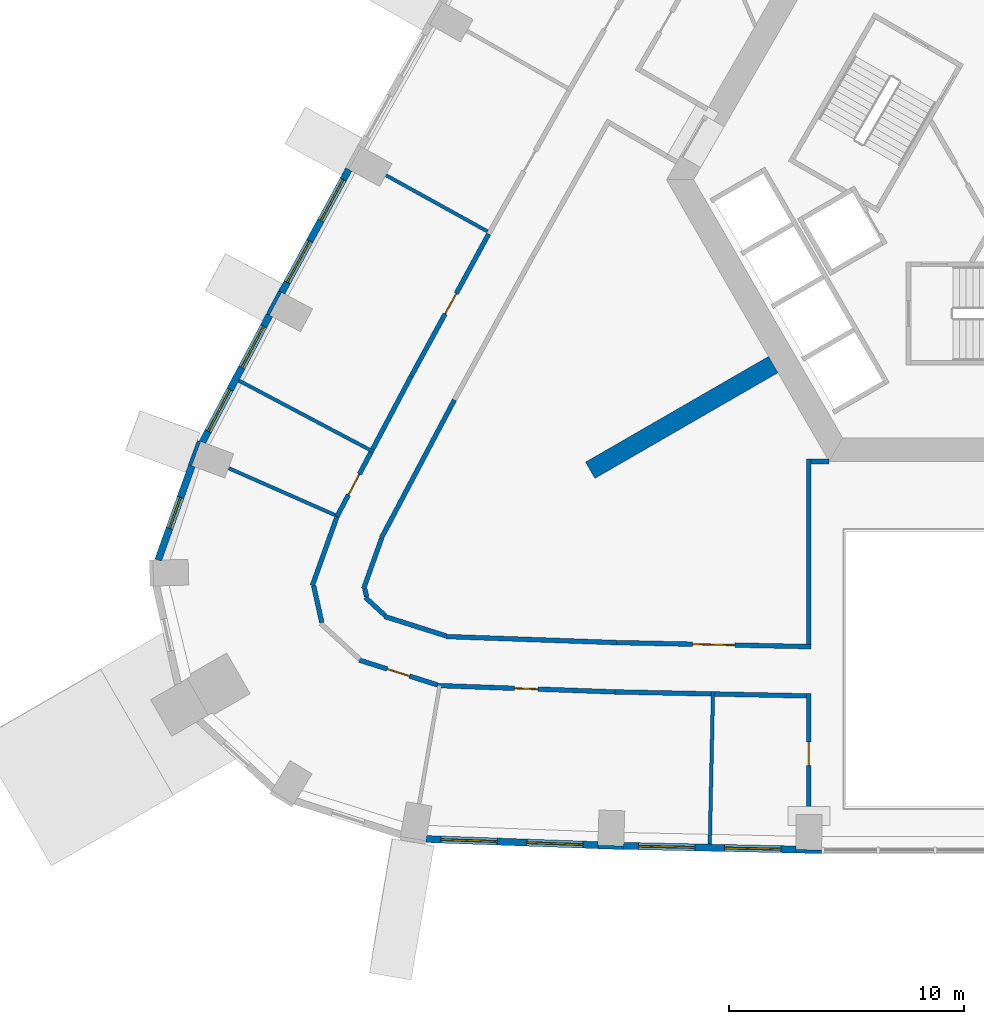
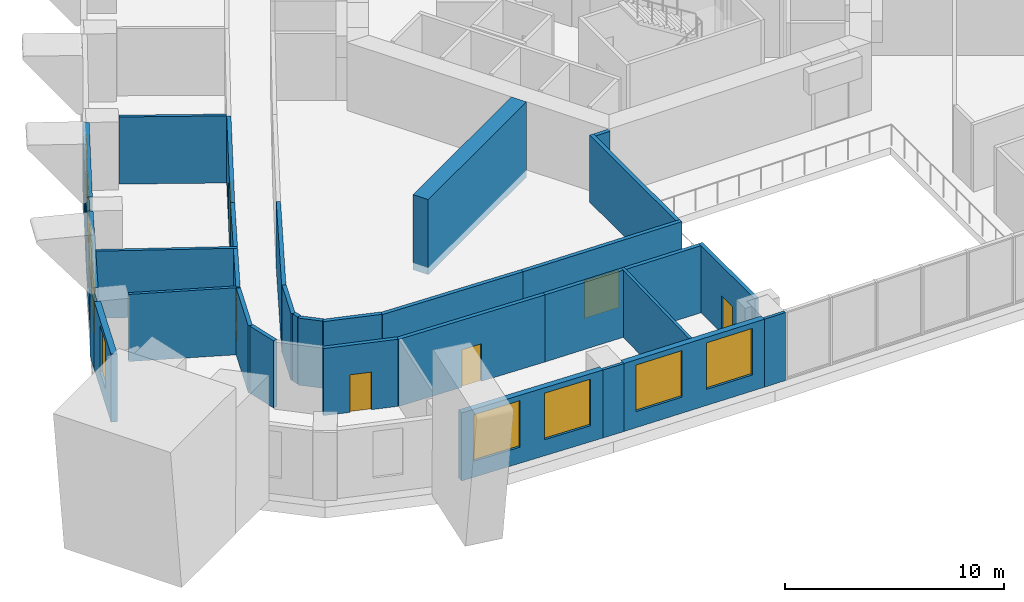
# One storey, part 4 of 14: 33 walls, 9 windows, 6 doors, 15 openings.
"""IFC4 building model written with IfcOpenShell, lengths in metres."""

from ifc_helpers import new_model, si_unit, direction, frame, frame_2d, origin, place, context, subcontext, project, spatial, rectangle, extrude, material, layer, layer_set, type_object, element, fill, save


model = new_model("IFC4")

# Units and contexts
model_context = context("Model", 3, precision=1e-05, world=origin(), true_north=direction((0.0, 1.0)))
body_context = subcontext(model_context, "Body", "Model", "MODEL_VIEW")
ifc_project = project(units=[si_unit("LENGTHUNIT", "METRE"), si_unit("AREAUNIT", "SQUARE_METRE"), si_unit("VOLUMEUNIT", "CUBIC_METRE"), si_unit("PLANEANGLEUNIT", "RADIAN"), si_unit("MASSUNIT", "GRAM", prefix="KILO")], contexts=[model_context])

# Site, building, storey
site_placement = place(None, origin())
site = spatial("IfcSite", under=ifc_project, at=site_placement, CompositionType="ELEMENT")
building_placement = place(site_placement, origin())
building = spatial("IfcBuilding", under=site, at=building_placement, Name="Entoto Arch Interchange Tower", CompositionType="ELEMENT")
storey_placement = place(building_placement, frame((0.0, 0.0, 176.0)))
storey = spatial("IfcBuildingStorey", under=building, at=storey_placement, Name="L39", CompositionType="ELEMENT", Elevation=176.0)

# Walls
ifc_material_1 = material(Name="Concrete C50/60", Category="concrete")
ifc_layer_1 = layer(ifc_material_1, 0.800048828125)
ifc_layer_set_1 = layer_set([ifc_layer_1], Name="Concrete C50/60")
wall_type_1 = type_object("IfcWallType", Name="Buttress wall 800 C50/60", PredefinedType="SHEAR", material=ifc_layer_set_1)
wall_1_placement = place(storey_placement, frame((-9.31005859375, -5.375, -0.39990234375), z_axis=(0.0, 0.0, 1.0), x_axis=(-0.866017533419, -0.500013631625, 0.0)))
element("IfcWall", 1, at=wall_1_placement, inside=storey, type_object=wall_type_1, Name="Buttress wall SW L39", PredefinedType="SHEAR", context=body_context, shape_type="SweptSolid", body=[
    extrude(rectangle(XDim=8.999755859375, YDim=0.800048828125, at=frame_2d((4.5, 0.0))), origin(), (0.0, 0.0, 1.0), 4.199951171875),
])
ifc_material_2 = material(Name="Gypsum board partition on steel studs", Category="steel")
ifc_layer_2 = layer(ifc_material_2, 0.14990234375)
ifc_layer_set_2 = layer_set([ifc_layer_2], Name="Gypsum board partition on steel studs")
wall_type_2 = type_object("IfcWallType", Name="PARTITION 150", PredefinedType="PARTITIONING", material=ifc_layer_set_2)
wall_2_placement = place(storey_placement, frame((-21.48095703125, 0.299072265625, 0.0), z_axis=(0.0, 0.0, 1.0), x_axis=(-0.875073760972, 0.483989579286, 0.0)))
element("IfcWall", 2, at=wall_2_placement, inside=storey, type_object=wall_type_2, Name="wall:L39:p124", PredefinedType="PARTITIONING", context=body_context, shape_type="SweptSolid", body=[
    extrude(rectangle(XDim=4.929931640625, YDim=0.14990234375, at=frame_2d((2.46484375, 0.0))), origin(), (0.0, 0.0, 1.0), 3.75),
])
wall_3_placement = place(storey_placement, frame((-26.322998046875, -9.094970703125, 0.0), z_axis=(0.0, 0.0, 1.0), x_axis=(-0.883977869384, 0.467528743971, 0.0)))
element("IfcWall", 3, at=wall_3_placement, inside=storey, type_object=wall_type_2, Name="wall:L39:p125", PredefinedType="PARTITIONING", context=body_context, shape_type="SweptSolid", body=[
    extrude(rectangle(XDim=6.500244140625, YDim=0.14990234375, at=frame_2d((3.25, 0.0))), origin(), (0.0, 0.0, 1.0), 3.75),
])
wall_4_placement = place(storey_placement, frame((-27.7880859375, -11.864990234375, 0.0), z_axis=(0.0, 0.0, 1.0), x_axis=(-0.915139307711, 0.403137752489, 0.0)))
element("IfcWall", 4, at=wall_4_placement, inside=storey, type_object=wall_type_2, Name="wall:L39:p126", PredefinedType="PARTITIONING", context=body_context, shape_type="SweptSolid", body=[
    extrude(rectangle(XDim=5.14453125, YDim=0.14990234375, at=frame_2d((2.572265625, 0.0))), origin(), (0.0, 0.0, 1.0), 3.75),
])
wall_5_placement = place(storey_placement, frame((-11.875, -19.302978515625, 0.0), z_axis=(0.0, 0.0, 1.0), x_axis=(-0.020922680752, -0.999781096756, 0.0)))
element("IfcWall", 5, at=wall_5_placement, inside=storey, type_object=wall_type_2, Name="wall:L39:p128", PredefinedType="PARTITIONING", context=body_context, shape_type="SweptSolid", body=[
    extrude(rectangle(XDim=6.49951171875, YDim=0.14990234375, at=frame_2d((3.249755859375, 0.0))), origin(), (0.0, 0.0, 1.0), 3.75),
])
ifc_layer_3 = layer(ifc_material_2, 0.199951171875)
ifc_layer_set_3 = layer_set([ifc_layer_3], Name="Gypsum board partition on steel studs")
wall_type_3 = type_object("IfcWallType", Name="PARTITION 200", PredefinedType="PARTITIONING", material=ifc_layer_set_3)
wall_6_placement = place(storey_placement, frame((-22.887939453125, -6.8779296875, 0.0), z_axis=(0.0, 0.0, 1.0), x_axis=(-0.467533790284, -0.883975200411, 0.0)))
element("IfcWall", 6, at=wall_6_placement, inside=storey, type_object=wall_type_3, Name="wall:L39:p032", PredefinedType="PARTITIONING", context=body_context, shape_type="SweptSolid", body=[
    extrude(rectangle(XDim=6.65625, YDim=0.199951171875, at=frame_2d((3.328125, 0.0))), origin(), (0.0, 0.0, 1.0), 3.75),
])
wall_7_placement = place(storey_placement, frame((-25.987060546875, -12.76806640625, 0.0), z_axis=(0.0, 0.0, 1.0), x_axis=(-0.33645112914, -0.941700927949, 0.0)))
element("IfcWall", 7, at=wall_7_placement, inside=storey, type_object=wall_type_3, Name="wall:L39:p033", PredefinedType="PARTITIONING", context=body_context, shape_type="SweptSolid", body=[
    extrude(rectangle(XDim=2.29150390625, YDim=0.199951171875, at=frame_2d((1.145751953125, 0.0))), origin(), (0.0, 0.0, 1.0), 3.75),
])
wall_8_placement = place(storey_placement, frame((-26.702880859375, -14.929931640625, 0.0), z_axis=(0.0, 0.0, 1.0), x_axis=(0.216250293589, -0.976337959173, 0.0)))
element("IfcWall", 8, at=wall_8_placement, inside=storey, type_object=wall_type_3, Name="wall:L39:p034", PredefinedType="PARTITIONING", context=body_context, shape_type="SweptSolid", body=[
    extrude(rectangle(XDim=0.342041015625, YDim=0.199951171875, at=frame_2d((0.1708984375, 0.0))), origin(), (0.0, 0.0, 1.0), 3.75),
])
wall_9_placement = place(storey_placement, frame((-26.680908203125, -15.2939453125, 0.0), z_axis=(0.0, 0.0, 1.0), x_axis=(0.737118519418, -0.675763485497, 0.0)))
element("IfcWall", 9, at=wall_9_placement, inside=storey, type_object=wall_type_3, Name="wall:L39:p035", PredefinedType="PARTITIONING", context=body_context, shape_type="SweptSolid", body=[
    extrude(rectangle(XDim=1.137939453125, YDim=0.199951171875, at=frame_2d((0.56884765625, 0.0))), origin(), (0.0, 0.0, 1.0), 3.75),
])
wall_10_placement = place(storey_placement, frame((-25.864013671875, -16.10009765625, 0.0), z_axis=(0.0, 0.0, 1.0), x_axis=(0.953158072423, -0.302472625167, 0.0)))
element("IfcWall", 10, at=wall_10_placement, inside=storey, type_object=wall_type_3, Name="wall:L39:p036", PredefinedType="PARTITIONING", context=body_context, shape_type="SweptSolid", body=[
    extrude(rectangle(XDim=2.743408203125, YDim=0.199951171875, at=frame_2d((1.37158203125, 0.0))), origin(), (0.0, 0.0, 1.0), 3.75),
])
wall_11_placement = place(storey_placement, frame((-23.2529296875, -16.95703125, 0.0), z_axis=(0.0, 0.0, 1.0), x_axis=(0.999365460355, -0.035618487468, 0.0)))
element("IfcWall", 11, at=wall_11_placement, inside=storey, type_object=wall_type_3, Name="wall:L39:p037", PredefinedType="PARTITIONING", context=body_context, shape_type="SweptSolid", body=[
    extrude(rectangle(XDim=7.2724609375, YDim=0.199951171875, at=frame_2d((3.63623046875, 0.0))), origin(), (0.0, 0.0, 1.0), 3.75),
])

# Wall, opening, door
wall_12_placement = place(storey_placement, frame((-15.985107421875, -17.216064453125, 0.0), z_axis=(0.0, 0.0, 1.0), x_axis=(0.999782442794, -0.020858261713, 0.0)))
wall_12 = element("IfcWall", 12, at=wall_12_placement, inside=storey, type_object=wall_type_3, Name="wall:L39:p038", PredefinedType="PARTITIONING", context=body_context, shape_type="SweptSolid", body=[
    extrude(rectangle(XDim=8.286865234375, YDim=0.199951171875, at=frame_2d((4.1435546875, 0.0))), origin(), (0.0, 0.0, 1.0), 3.75),
])
opening_1_placement = place(wall_12_placement, frame((3.243896484375, 0.0, 0.0)))
opening_1 = element("IfcOpeningElement", 13, at=opening_1_placement, cuts=wall_12, Name="Opening L39-D27", PredefinedType="OPENING", context=body_context, shape_type="SweptSolid", body=[
    extrude(rectangle(XDim=1.800048828125, YDim=2.10009765625, at=frame_2d((0.89990234375, 1.050048828125))), frame((0.0, 0.10986328125, 0.0), z_axis=(0.0, -1.0, 0.0), x_axis=(1.0, 0.0, 0.0)), (0.0, 0.0, 1.0), 0.219970703125),
])
ifc_material_3 = material(Name="Timber door leaf in Steel S235 frame", Category="steel")
door_type_1 = type_object("IfcDoorType", Name="DOOR DD-18 1800x2100", OperationType="DOUBLE_DOOR_SINGLE_SWING", PredefinedType="DOOR", material=ifc_material_3)
door_1_placement = place(opening_1_placement, origin())
door_1 = element("IfcDoor", 14, at=door_1_placement, inside=storey, type_object=door_type_1, Name="door:L39:27", OperationType="DOUBLE_DOOR_SINGLE_SWING", OverallHeight=2.10009765625, OverallWidth=1.800048828125, PredefinedType="DOOR", context=body_context, shape_type="SweptSolid", body=[
    extrude(rectangle(XDim=1.800048828125, YDim=2.10009765625, at=frame_2d((0.89990234375, 1.050048828125))), frame((0.0, 0.02490234375, 0.0), z_axis=(0.0, -1.0, 0.0), x_axis=(1.0, 0.0, 0.0)), (0.0, 0.0, 1.0), 0.050048828125),
])
fill(opening_1, door_1)

# Wall
wall_13_placement = place(storey_placement, frame((-26.3759765625, -8.98193359375, 0.0), z_axis=(0.0, 0.0, 1.0), x_axis=(0.467529077139, 0.883977693174, 0.0)))
element("IfcWall", 15, at=wall_13_placement, inside=storey, type_object=wall_type_3, Name="wall:L39:p068", PredefinedType="PARTITIONING", context=body_context, shape_type="SweptSolid", body=[
    extrude(rectangle(XDim=3.50341796875, YDim=0.199951171875, at=frame_2d((1.751708984375, 0.0))), origin(), (0.0, 0.0, 1.0), 3.75),
])

# Wall, opening, door
wall_14_placement = place(storey_placement, frame((-24.738037109375, -5.885009765625, 0.0), z_axis=(0.0, 0.0, 1.0), x_axis=(0.478535377863, 0.878068273048, 0.0)))
wall_14 = element("IfcWall", 16, at=wall_14_placement, inside=storey, type_object=wall_type_3, Name="wall:L39:p069", PredefinedType="PARTITIONING", context=body_context, shape_type="SweptSolid", body=[
    extrude(rectangle(XDim=6.9130859375, YDim=0.199951171875, at=frame_2d((3.45654296875, 0.0))), origin(), (0.0, 0.0, 1.0), 3.75),
])
opening_2_placement = place(wall_14_placement, frame((3.031005859375, 0.0, 0.0)))
opening_2 = element("IfcOpeningElement", 17, at=opening_2_placement, cuts=wall_14, Name="Opening L39-D14", PredefinedType="OPENING", context=body_context, shape_type="SweptSolid", body=[
    extrude(rectangle(XDim=1.0, YDim=2.10009765625, at=frame_2d((0.5, 1.050048828125))), frame((0.0, 0.10986328125, 0.0), z_axis=(0.0, -1.0, 0.0), x_axis=(1.0, 0.0, 0.0)), (0.0, 0.0, 1.0), 0.219970703125),
])
door_type_2 = type_object("IfcDoorType", Name="DOOR DS-10 1000x2100", OperationType="SINGLE_SWING_LEFT", PredefinedType="DOOR", material=ifc_material_3)
door_2_placement = place(opening_2_placement, origin())
door_2 = element("IfcDoor", 18, at=door_2_placement, inside=storey, type_object=door_type_2, Name="door:L39:14", OperationType="SINGLE_SWING_RIGHT", OverallHeight=2.10009765625, OverallWidth=1.0, PredefinedType="DOOR", context=body_context, shape_type="SweptSolid", body=[
    extrude(rectangle(XDim=1.0, YDim=2.10009765625, at=frame_2d((0.5, 1.050048828125))), frame((0.0, 0.02490234375, 0.0), z_axis=(0.0, -1.0, 0.0), x_axis=(1.0, 0.0, 0.0)), (0.0, 0.0, 1.0), 0.050048828125),
])
fill(opening_2, door_2)

wall_15_placement = place(storey_placement, frame((-27.89111328125, -11.846923828125, 0.0), z_axis=(0.0, 0.0, 1.0), x_axis=(0.467571923705, 0.883955030623, 0.0)))
wall_15 = element("IfcWall", 19, at=wall_15_placement, inside=storey, type_object=wall_type_3, Name="wall:L39:p070", PredefinedType="PARTITIONING", context=body_context, shape_type="SweptSolid", body=[
    extrude(rectangle(XDim=3.090576171875, YDim=0.199951171875, at=frame_2d((1.54541015625, 0.0))), origin(), (0.0, 0.0, 1.0), 3.75),
])
opening_3_placement = place(wall_15_placement, frame((1.044921875, 0.0, 0.0)))
opening_3 = element("IfcOpeningElement", 20, at=opening_3_placement, cuts=wall_15, Name="Opening L39-D15", PredefinedType="OPENING", context=body_context, shape_type="SweptSolid", body=[
    extrude(rectangle(XDim=1.0, YDim=2.10009765625, at=frame_2d((0.5, 1.050048828125))), frame((0.0, 0.10986328125, 0.0), z_axis=(0.0, -1.0, 0.0), x_axis=(1.0, 0.0, 0.0)), (0.0, 0.0, 1.0), 0.219970703125),
])
door_3_placement = place(opening_3_placement, origin())
door_3 = element("IfcDoor", 21, at=door_3_placement, inside=storey, type_object=door_type_2, Name="door:L39:15", OperationType="SINGLE_SWING_LEFT", OverallHeight=2.10009765625, OverallWidth=1.0, PredefinedType="DOOR", context=body_context, shape_type="SweptSolid", body=[
    extrude(rectangle(XDim=1.0, YDim=2.10009765625, at=frame_2d((0.5, 1.050048828125))), frame((0.0, 0.02490234375, 0.0), z_axis=(0.0, -1.0, 0.0), x_axis=(1.0, 0.0, 0.0)), (0.0, 0.0, 1.0), 0.050048828125),
])
fill(opening_3, door_3)

wall_16_placement = place(storey_placement, frame((-23.610107421875, -19.01904296875, 0.0), z_axis=(0.0, 0.0, 1.0), x_axis=(-0.953121068097, 0.302589209243, 0.0)))
wall_16 = element("IfcWall", 22, at=wall_16_placement, inside=storey, type_object=wall_type_3, Name="wall:L39:p071", PredefinedType="PARTITIONING", context=body_context, shape_type="SweptSolid", body=[
    extrude(rectangle(XDim=3.49365234375, YDim=0.199951171875, at=frame_2d((1.746826171875, 0.0))), origin(), (0.0, 0.0, 1.0), 3.75),
])
opening_4_placement = place(wall_16_placement, frame((1.2470703125, 0.0, 0.0)))
opening_4 = element("IfcOpeningElement", 23, at=opening_4_placement, cuts=wall_16, Name="Opening L39-D16", PredefinedType="OPENING", context=body_context, shape_type="SweptSolid", body=[
    extrude(rectangle(XDim=1.0, YDim=2.10009765625, at=frame_2d((0.5, 1.050048828125))), frame((0.0, 0.10986328125, 0.0), z_axis=(0.0, -1.0, 0.0), x_axis=(1.0, 0.0, 0.0)), (0.0, 0.0, 1.0), 0.219970703125),
])
door_4_placement = place(opening_4_placement, origin())
door_4 = element("IfcDoor", 24, at=door_4_placement, inside=storey, type_object=door_type_2, Name="door:L39:16", OperationType="SINGLE_SWING_LEFT", OverallHeight=2.10009765625, OverallWidth=1.0, PredefinedType="DOOR", context=body_context, shape_type="SweptSolid", body=[
    extrude(rectangle(XDim=1.0, YDim=2.10009765625, at=frame_2d((0.5, 1.050048828125))), frame((0.0, 0.02490234375, 0.0), z_axis=(0.0, -1.0, 0.0), x_axis=(1.0, 0.0, 0.0)), (0.0, 0.0, 1.0), 0.050048828125),
])
fill(opening_4, door_4)

# Walls
wall_17_placement = place(storey_placement, frame((-28.535888671875, -16.364990234375, 0.0), z_axis=(0.0, 0.0, 1.0), x_axis=(-0.216223984898, 0.976343785946, 0.0)))
element("IfcWall", 25, at=wall_17_placement, inside=storey, type_object=wall_type_3, Name="wall:L39:p073", PredefinedType="PARTITIONING", context=body_context, shape_type="SweptSolid", body=[
    extrude(rectangle(XDim=1.610107421875, YDim=0.199951171875, at=frame_2d((0.80517578125, 0.0))), origin(), (0.0, 0.0, 1.0), 3.75),
])
wall_18_placement = place(storey_placement, frame((-28.93994140625, -14.7890625, 0.0), z_axis=(0.0, 0.0, 1.0), x_axis=(0.336864004528, 0.941553313654, 0.0)))
element("IfcWall", 26, at=wall_18_placement, inside=storey, type_object=wall_type_3, Name="wall:L39:p074", PredefinedType="PARTITIONING", context=body_context, shape_type="SweptSolid", body=[
    extrude(rectangle(XDim=3.04833984375, YDim=0.199951171875, at=frame_2d((1.524169921875, 0.0))), origin(), (0.0, 0.0, 1.0), 3.75),
])
wall_19_placement = place(storey_placement, frame((-11.951904296875, -19.40087890625, 0.0), z_axis=(0.0, 0.0, 1.0), x_axis=(-0.999784632057, 0.020753060063, 0.0)))
element("IfcWall", 27, at=wall_19_placement, inside=storey, type_object=wall_type_3, Name="wall:L39:p075", PredefinedType="PARTITIONING", context=body_context, shape_type="SweptSolid", body=[
    extrude(rectangle(XDim=4.093994140625, YDim=0.199951171875, at=frame_2d((2.046875, 0.0))), origin(), (0.0, 0.0, 1.0), 3.75),
])

# Wall, opening, door
wall_20_placement = place(storey_placement, frame((-16.044921875, -19.31591796875, 0.0), z_axis=(0.0, 0.0, 1.0), x_axis=(-0.999359853626, 0.035775451915, 0.0)))
wall_20 = element("IfcWall", 28, at=wall_20_placement, inside=storey, type_object=wall_type_3, Name="wall:L39:p076", PredefinedType="PARTITIONING", context=body_context, shape_type="SweptSolid", body=[
    extrude(rectangle(XDim=7.574951171875, YDim=0.199951171875, at=frame_2d((3.78759765625, 0.0))), origin(), (0.0, 0.0, 1.0), 3.75),
])
opening_5_placement = place(wall_20_placement, frame((3.2880859375, 0.0, 0.0)))
opening_5 = element("IfcOpeningElement", 29, at=opening_5_placement, cuts=wall_20, Name="Opening L39-D17", PredefinedType="OPENING", context=body_context, shape_type="SweptSolid", body=[
    extrude(rectangle(XDim=1.0, YDim=2.10009765625, at=frame_2d((0.5, 1.050048828125))), frame((0.0, 0.10986328125, 0.0), z_axis=(0.0, -1.0, 0.0), x_axis=(1.0, 0.0, 0.0)), (0.0, 0.0, 1.0), 0.219970703125),
])
door_5_placement = place(opening_5_placement, origin())
door_5 = element("IfcDoor", 30, at=door_5_placement, inside=storey, type_object=door_type_2, Name="door:L39:17", OperationType="SINGLE_SWING_LEFT", OverallHeight=2.10009765625, OverallWidth=1.0, PredefinedType="DOOR", context=body_context, shape_type="SweptSolid", body=[
    extrude(rectangle(XDim=1.0, YDim=2.10009765625, at=frame_2d((0.5, 1.050048828125))), frame((0.0, 0.02490234375, 0.0), z_axis=(0.0, -1.0, 0.0), x_axis=(1.0, 0.0, 0.0)), (0.0, 0.0, 1.0), 0.050048828125),
])
fill(opening_5, door_5)

# Walls
wall_21_placement = place(storey_placement, frame((-7.89990234375, -19.485107421875, 0.0), z_axis=(0.0, 0.0, 1.0), x_axis=(-0.999784330337, 0.020767590419, 0.0)))
element("IfcWall", 31, at=wall_21_placement, inside=storey, type_object=wall_type_3, Name="wall:L39:p077", PredefinedType="PARTITIONING", context=body_context, shape_type="SweptSolid", body=[
    extrude(rectangle(XDim=3.90283203125, YDim=0.199951171875, at=frame_2d((1.951416015625, 0.0))), origin(), (0.0, 0.0, 1.0), 3.75),
])
wall_22_placement = place(storey_placement, frame((-7.800048828125, -17.287109375, 0.0), z_axis=(0.0, 0.0, 1.0), x_axis=(0.0, 1.0, 0.0)))
element("IfcWall", 32, at=wall_22_placement, inside=storey, type_object=wall_type_3, Name="wall:L39:p097", PredefinedType="PARTITIONING", context=body_context, shape_type="SweptSolid", body=[
    extrude(rectangle(XDim=7.88818359375, YDim=0.199951171875, at=frame_2d((3.944091796875, 0.0))), origin(), (0.0, 0.0, 1.0), 3.75),
])
wall_23_placement = place(storey_placement, frame((-7.699951171875, -9.4990234375, 0.0), z_axis=(0.0, 0.0, 1.0), x_axis=(1.0, 0.0, 0.0)))
element("IfcWall", 33, at=wall_23_placement, inside=storey, type_object=wall_type_3, Name="wall:L39:p098", PredefinedType="PARTITIONING", context=body_context, shape_type="SweptSolid", body=[
    extrude(rectangle(XDim=0.77099609375, YDim=0.199951171875, at=frame_2d((0.385498046875, 0.0))), origin(), (0.0, 0.0, 1.0), 3.75),
])

# Wall, opening, door
wall_24_placement = place(storey_placement, frame((-7.800048828125, -24.51904296875, 0.0), z_axis=(0.0, 0.0, 1.0), x_axis=(0.0, 1.0, 0.0)))
wall_24 = element("IfcWall", 34, at=wall_24_placement, inside=storey, type_object=wall_type_3, Name="wall:L39:p100", PredefinedType="PARTITIONING", context=body_context, shape_type="SweptSolid", body=[
    extrude(rectangle(XDim=5.132080078125, YDim=0.199951171875, at=frame_2d((2.56591796875, 0.0))), origin(), (0.0, 0.0, 1.0), 3.75),
])
opening_6_placement = place(wall_24_placement, frame((2.06591796875, 0.0, 0.0)))
opening_6 = element("IfcOpeningElement", 35, at=opening_6_placement, cuts=wall_24, Name="Opening L39-D18", PredefinedType="OPENING", context=body_context, shape_type="SweptSolid", body=[
    extrude(rectangle(XDim=1.0, YDim=2.10009765625, at=frame_2d((0.5, 1.050048828125))), frame((0.0, 0.10986328125, 0.0), z_axis=(0.0, -1.0, 0.0), x_axis=(1.0, 0.0, 0.0)), (0.0, 0.0, 1.0), 0.219970703125),
])
door_6_placement = place(opening_6_placement, origin())
door_6 = element("IfcDoor", 36, at=door_6_placement, inside=storey, type_object=door_type_2, Name="door:L39:18", OperationType="SINGLE_SWING_LEFT", OverallHeight=2.10009765625, OverallWidth=1.0, PredefinedType="DOOR", context=body_context, shape_type="SweptSolid", body=[
    extrude(rectangle(XDim=1.0, YDim=2.10009765625, at=frame_2d((0.5, 1.050048828125))), frame((0.0, 0.02490234375, 0.0), z_axis=(0.0, -1.0, 0.0), x_axis=(1.0, 0.0, 0.0)), (0.0, 0.0, 1.0), 0.050048828125),
])
fill(opening_6, door_6)

# Wall, openings, windows
ifc_material_4 = material(Name="Welded tuff (ignimbrite) cladding, warm buff", Category="masonry")
ifc_layer_4 = layer(ifc_material_4, 0.300048828125)
ifc_layer_set_4 = layer_set([ifc_layer_4], Name="Welded tuff (ignimbrite) cladding, warm buff")
wall_type_4 = type_object("IfcWallType", Name="STONE INFILL WALL 300", PredefinedType="STANDARD", material=ifc_layer_set_4)
wall_25_placement = place(storey_placement, frame((-24.090087890625, -25.5830078125, 0.0), z_axis=(0.0, 0.0, 1.0), x_axis=(0.999368368263, -0.035536805082, 0.0)))
wall_25 = element("IfcWall", 37, at=wall_25_placement, inside=storey, type_object=wall_type_4, Name="Facade wall S-01 L39", PredefinedType="STANDARD", context=body_context, shape_type="SweptSolid", body=[
    extrude(rectangle(XDim=7.316650390625, YDim=0.300048828125, at=frame_2d((3.658203125, 0.0))), origin(), (0.0, 0.0, 1.0), 3.800048828125),
])
opening_7_placement = place(wall_25_placement, frame((0.62890625, 0.0, 0.89990234375)))
opening_7 = element("IfcOpeningElement", 38, at=opening_7_placement, cuts=wall_25, Name="Opening WO-A", PredefinedType="OPENING", context=body_context, shape_type="SweptSolid", body=[
    extrude(rectangle(XDim=2.39990234375, YDim=2.60009765625, at=frame_2d((1.199951171875, 1.300048828125))), frame((0.0, 0.16015625, 0.0), z_axis=(0.0, -1.0, 0.0), x_axis=(1.0, 0.0, 0.0)), (0.0, 0.0, 1.0), 0.320068359375),
])
opening_8_placement = place(wall_25_placement, frame((4.287109375, 0.0, 0.89990234375)))
opening_8 = element("IfcOpeningElement", 39, at=opening_8_placement, cuts=wall_25, Name="Opening WO-A", PredefinedType="OPENING", context=body_context, shape_type="SweptSolid", body=[
    extrude(rectangle(XDim=2.39990234375, YDim=2.60009765625, at=frame_2d((1.199951171875, 1.300048828125))), frame((0.0, 0.16015625, 0.0), z_axis=(0.0, -1.0, 0.0), x_axis=(1.0, 0.0, 0.0)), (0.0, 0.0, 1.0), 0.320068359375),
])
ifc_material_5 = material(Name="Clear glass, low-e double glazed", Category="glass")
window_type_1 = type_object("IfcWindowType", Name="WINDOW WO-A 2400x2600", PartitioningType="DOUBLE_PANEL_VERTICAL", PredefinedType="WINDOW", material=ifc_material_5)
window_1_placement = place(opening_7_placement, origin())
window_1 = element("IfcWindow", 40, at=window_1_placement, inside=storey, type_object=window_type_1, Name="Window WO-A S-01 L39", OverallHeight=2.60009765625, OverallWidth=2.39990234375, PartitioningType="SINGLE_PANEL", PredefinedType="WINDOW", context=body_context, shape_type="SweptSolid", body=[
    extrude(rectangle(XDim=2.39990234375, YDim=2.60009765625, at=frame_2d((1.199951171875, 1.300048828125))), frame((0.0, 0.030029296875, 0.0), z_axis=(0.0, -1.0, 0.0), x_axis=(1.0, 0.0, 0.0)), (0.0, 0.0, 1.0), 0.06005859375),
])
fill(opening_7, window_1)
window_2_placement = place(opening_8_placement, origin())
window_2 = element("IfcWindow", 41, at=window_2_placement, inside=storey, type_object=window_type_1, Name="Window WO-A S-01 L39", OverallHeight=2.60009765625, OverallWidth=2.39990234375, PartitioningType="SINGLE_PANEL", PredefinedType="WINDOW", context=body_context, shape_type="SweptSolid", body=[
    extrude(rectangle(XDim=2.39990234375, YDim=2.60009765625, at=frame_2d((1.199951171875, 1.300048828125))), frame((0.0, 0.030029296875, 0.0), z_axis=(0.0, -1.0, 0.0), x_axis=(1.0, 0.0, 0.0)), (0.0, 0.0, 1.0), 0.06005859375),
])
fill(opening_8, window_2)

wall_26_placement = place(storey_placement, frame((-15.679931640625, -25.875, 0.0), z_axis=(0.0, 0.0, 1.0), x_axis=(0.999782189413, -0.020870403275, 0.0)))
wall_26 = element("IfcWall", 42, at=wall_26_placement, inside=storey, type_object=wall_type_4, Name="Facade wall S-02 L39", PredefinedType="STANDARD", context=body_context, shape_type="SweptSolid", body=[
    extrude(rectangle(XDim=7.334716796875, YDim=0.300048828125, at=frame_2d((3.66748046875, 0.0))), origin(), (0.0, 0.0, 1.0), 3.800048828125),
])
opening_9_placement = place(wall_26_placement, frame((0.634033203125, 0.0, 0.89990234375)))
opening_9 = element("IfcOpeningElement", 43, at=opening_9_placement, cuts=wall_26, Name="Opening WO-A", PredefinedType="OPENING", context=body_context, shape_type="SweptSolid", body=[
    extrude(rectangle(XDim=2.39990234375, YDim=2.60009765625, at=frame_2d((1.199951171875, 1.300048828125))), frame((0.0, 0.16015625, 0.0), z_axis=(0.0, -1.0, 0.0), x_axis=(1.0, 0.0, 0.0)), (0.0, 0.0, 1.0), 0.320068359375),
])
opening_10_placement = place(wall_26_placement, frame((4.301025390625, 0.0, 0.89990234375)))
opening_10 = element("IfcOpeningElement", 44, at=opening_10_placement, cuts=wall_26, Name="Opening WO-A", PredefinedType="OPENING", context=body_context, shape_type="SweptSolid", body=[
    extrude(rectangle(XDim=2.39990234375, YDim=2.60009765625, at=frame_2d((1.199951171875, 1.300048828125))), frame((0.0, 0.16015625, 0.0), z_axis=(0.0, -1.0, 0.0), x_axis=(1.0, 0.0, 0.0)), (0.0, 0.0, 1.0), 0.320068359375),
])
window_3_placement = place(opening_9_placement, origin())
window_3 = element("IfcWindow", 45, at=window_3_placement, inside=storey, type_object=window_type_1, Name="Window WO-A S-02 L39", OverallHeight=2.60009765625, OverallWidth=2.39990234375, PartitioningType="SINGLE_PANEL", PredefinedType="WINDOW", context=body_context, shape_type="SweptSolid", body=[
    extrude(rectangle(XDim=2.39990234375, YDim=2.60009765625, at=frame_2d((1.199951171875, 1.300048828125))), frame((0.0, 0.030029296875, 0.0), z_axis=(0.0, -1.0, 0.0), x_axis=(1.0, 0.0, 0.0)), (0.0, 0.0, 1.0), 0.06005859375),
])
fill(opening_9, window_3)
window_4_placement = place(opening_10_placement, origin())
window_4 = element("IfcWindow", 46, at=window_4_placement, inside=storey, type_object=window_type_1, Name="Window WO-A S-02 L39", OverallHeight=2.60009765625, OverallWidth=2.39990234375, PartitioningType="SINGLE_PANEL", PredefinedType="WINDOW", context=body_context, shape_type="SweptSolid", body=[
    extrude(rectangle(XDim=2.39990234375, YDim=2.60009765625, at=frame_2d((1.199951171875, 1.300048828125))), frame((0.0, 0.030029296875, 0.0), z_axis=(0.0, -1.0, 0.0), x_axis=(1.0, 0.0, 0.0)), (0.0, 0.0, 1.0), 0.06005859375),
])
fill(opening_10, window_4)

wall_27_placement = place(storey_placement, frame((-27.387939453125, 2.93896484375, 0.0), z_axis=(0.0, 0.0, 1.0), x_axis=(-0.478711740571, -0.877972134774, 0.0)))
wall_27 = element("IfcWall", 47, at=wall_27_placement, inside=storey, type_object=wall_type_4, Name="Facade wall NW-06 L39", PredefinedType="STANDARD", context=body_context, shape_type="SweptSolid", body=[
    extrude(rectangle(XDim=5.970458984375, YDim=0.300048828125, at=frame_2d((2.9853515625, 0.0))), origin(), (0.0, 0.0, 1.0), 3.800048828125),
])
opening_11_placement = place(wall_27_placement, frame((0.492919921875, 0.0, 0.89990234375)))
opening_11 = element("IfcOpeningElement", 48, at=opening_11_placement, cuts=wall_27, Name="Opening WO-C", PredefinedType="OPENING", context=body_context, shape_type="SweptSolid", body=[
    extrude(rectangle(XDim=2.0, YDim=2.60009765625, at=frame_2d((1.0, 1.300048828125))), frame((0.0, 0.16015625, 0.0), z_axis=(0.0, -1.0, 0.0), x_axis=(1.0, 0.0, 0.0)), (0.0, 0.0, 1.0), 0.320068359375),
])
opening_12_placement = place(wall_27_placement, frame((3.47802734375, 0.0, 0.89990234375)))
opening_12 = element("IfcOpeningElement", 49, at=opening_12_placement, cuts=wall_27, Name="Opening WO-C", PredefinedType="OPENING", context=body_context, shape_type="SweptSolid", body=[
    extrude(rectangle(XDim=2.0, YDim=2.60009765625, at=frame_2d((1.0, 1.300048828125))), frame((0.0, 0.16015625, 0.0), z_axis=(0.0, -1.0, 0.0), x_axis=(1.0, 0.0, 0.0)), (0.0, 0.0, 1.0), 0.320068359375),
])
window_type_2 = type_object("IfcWindowType", Name="WINDOW WO-C 2000x2600", PartitioningType="DOUBLE_PANEL_VERTICAL", PredefinedType="WINDOW", material=ifc_material_5)
window_5_placement = place(opening_11_placement, origin())
window_5 = element("IfcWindow", 50, at=window_5_placement, inside=storey, type_object=window_type_2, Name="Window WO-C NW-06 L39", OverallHeight=2.60009765625, OverallWidth=2.0, PartitioningType="SINGLE_PANEL", PredefinedType="WINDOW", context=body_context, shape_type="SweptSolid", body=[
    extrude(rectangle(XDim=2.0, YDim=2.60009765625, at=frame_2d((1.0, 1.300048828125))), frame((0.0, 0.030029296875, 0.0), z_axis=(0.0, -1.0, 0.0), x_axis=(1.0, 0.0, 0.0)), (0.0, 0.0, 1.0), 0.06005859375),
])
fill(opening_11, window_5)
window_6_placement = place(opening_12_placement, origin())
window_6 = element("IfcWindow", 51, at=window_6_placement, inside=storey, type_object=window_type_2, Name="Window WO-C NW-06 L39", OverallHeight=2.60009765625, OverallWidth=2.0, PartitioningType="SINGLE_PANEL", PredefinedType="WINDOW", context=body_context, shape_type="SweptSolid", body=[
    extrude(rectangle(XDim=2.0, YDim=2.60009765625, at=frame_2d((1.0, 1.300048828125))), frame((0.0, 0.030029296875, 0.0), z_axis=(0.0, -1.0, 0.0), x_axis=(1.0, 0.0, 0.0)), (0.0, 0.0, 1.0), 0.06005859375),
])
fill(opening_12, window_6)

wall_28_placement = place(storey_placement, frame((-30.764892578125, -3.27099609375, 0.0), z_axis=(0.0, 0.0, 1.0), x_axis=(-0.467572383403, -0.883954787463, 0.0)))
wall_28 = element("IfcWall", 52, at=wall_28_placement, inside=storey, type_object=wall_type_4, Name="Facade wall NW-07 L39", PredefinedType="STANDARD", context=body_context, shape_type="SweptSolid", body=[
    extrude(rectangle(XDim=6.118896484375, YDim=0.300048828125, at=frame_2d((3.0595703125, 0.0))), origin(), (0.0, 0.0, 1.0), 3.800048828125),
])
opening_13_placement = place(wall_28_placement, frame((0.530029296875, 0.0, 0.89990234375)))
opening_13 = element("IfcOpeningElement", 53, at=opening_13_placement, cuts=wall_28, Name="Opening WO-C", PredefinedType="OPENING", context=body_context, shape_type="SweptSolid", body=[
    extrude(rectangle(XDim=2.0, YDim=2.60009765625, at=frame_2d((1.0, 1.300048828125))), frame((0.0, 0.16015625, 0.0), z_axis=(0.0, -1.0, 0.0), x_axis=(1.0, 0.0, 0.0)), (0.0, 0.0, 1.0), 0.320068359375),
])
opening_14_placement = place(wall_28_placement, frame((3.589111328125, 0.0, 0.89990234375)))
opening_14 = element("IfcOpeningElement", 54, at=opening_14_placement, cuts=wall_28, Name="Opening WO-C", PredefinedType="OPENING", context=body_context, shape_type="SweptSolid", body=[
    extrude(rectangle(XDim=2.0, YDim=2.60009765625, at=frame_2d((1.0, 1.300048828125))), frame((0.0, 0.16015625, 0.0), z_axis=(0.0, -1.0, 0.0), x_axis=(1.0, 0.0, 0.0)), (0.0, 0.0, 1.0), 0.320068359375),
])
window_7_placement = place(opening_13_placement, origin())
window_7 = element("IfcWindow", 55, at=window_7_placement, inside=storey, type_object=window_type_2, Name="Window WO-C NW-07 L39", OverallHeight=2.60009765625, OverallWidth=2.0, PartitioningType="SINGLE_PANEL", PredefinedType="WINDOW", context=body_context, shape_type="SweptSolid", body=[
    extrude(rectangle(XDim=2.0, YDim=2.60009765625, at=frame_2d((1.0, 1.300048828125))), frame((0.0, 0.030029296875, 0.0), z_axis=(0.0, -1.0, 0.0), x_axis=(1.0, 0.0, 0.0)), (0.0, 0.0, 1.0), 0.06005859375),
])
fill(opening_13, window_7)
window_8_placement = place(opening_14_placement, origin())
window_8 = element("IfcWindow", 56, at=window_8_placement, inside=storey, type_object=window_type_2, Name="Window WO-C NW-07 L39", OverallHeight=2.60009765625, OverallWidth=2.0, PartitioningType="SINGLE_PANEL", PredefinedType="WINDOW", context=body_context, shape_type="SweptSolid", body=[
    extrude(rectangle(XDim=2.0, YDim=2.60009765625, at=frame_2d((1.0, 1.300048828125))), frame((0.0, 0.030029296875, 0.0), z_axis=(0.0, -1.0, 0.0), x_axis=(1.0, 0.0, 0.0)), (0.0, 0.0, 1.0), 0.06005859375),
])
fill(opening_14, window_8)

# Wall, opening, window
wall_29_placement = place(storey_placement, frame((-34.071044921875, -9.68603515625, 0.0), z_axis=(0.0, 0.0, 1.0), x_axis=(-0.336652028742, -0.941629126325, 0.0)))
wall_29 = element("IfcWall", 57, at=wall_29_placement, inside=storey, type_object=wall_type_4, Name="Facade wall SW-01 L39", PredefinedType="STANDARD", context=body_context, shape_type="SweptSolid", body=[
    extrude(rectangle(XDim=4.2626953125, YDim=0.300048828125, at=frame_2d((2.13134765625, 0.0))), origin(), (0.0, 0.0, 1.0), 3.800048828125),
])
opening_15_placement = place(wall_29_placement, frame((1.430908203125, 0.0, 0.89990234375)))
opening_15 = element("IfcOpeningElement", 58, at=opening_15_placement, cuts=wall_29, Name="Opening WO-B", PredefinedType="OPENING", context=body_context, shape_type="SweptSolid", body=[
    extrude(rectangle(XDim=1.39990234375, YDim=2.60009765625, at=frame_2d((0.699951171875, 1.300048828125))), frame((0.0, 0.16015625, 0.0), z_axis=(0.0, -1.0, 0.0), x_axis=(1.0, 0.0, 0.0)), (0.0, 0.0, 1.0), 0.320068359375),
])
window_type_3 = type_object("IfcWindowType", Name="WINDOW WO-B 1400x2600", PartitioningType="DOUBLE_PANEL_VERTICAL", PredefinedType="WINDOW", material=ifc_material_5)
window_9_placement = place(opening_15_placement, origin())
window_9 = element("IfcWindow", 59, at=window_9_placement, inside=storey, type_object=window_type_3, Name="Window WO-B SW-01 L39", OverallHeight=2.60009765625, OverallWidth=1.39990234375, PartitioningType="SINGLE_PANEL", PredefinedType="WINDOW", context=body_context, shape_type="SweptSolid", body=[
    extrude(rectangle(XDim=1.39990234375, YDim=2.60009765625, at=frame_2d((0.699951171875, 1.300048828125))), frame((0.0, 0.030029296875, 0.0), z_axis=(0.0, -1.0, 0.0), x_axis=(1.0, 0.0, 0.0)), (0.0, 0.0, 1.0), 0.06005859375),
])
fill(opening_15, window_9)

# Walls
ifc_layer_5 = layer(ifc_material_4, 0.14990234375)
ifc_layer_set_5 = layer_set([ifc_layer_5], Name="Welded tuff (ignimbrite) cladding, warm buff")
wall_type_5 = type_object("IfcWallType", Name="STONE PIER CLADDING 150", PredefinedType="STANDARD", material=ifc_layer_set_5)
wall_30_placement = place(storey_placement, frame((-30.31591796875, -2.264892578125, 0.0), z_axis=(0.0, 0.0, 1.0), x_axis=(-0.469966207956, -0.882684407577, 0.0)))
element("IfcWall", 60, at=wall_30_placement, inside=storey, type_object=wall_type_5, Name="Stone pier NW07 L39", PredefinedType="STANDARD", context=body_context, shape_type="SweptSolid", body=[
    extrude(rectangle(XDim=1.100341796875, YDim=0.14990234375, at=frame_2d((0.55029296875, 0.0))), origin(), (0.0, 0.0, 1.0), 3.800048828125),
])
wall_31_placement = place(storey_placement, frame((-33.76611328125, -8.626953125, 0.0), z_axis=(0.0, 0.0, 1.0), x_axis=(-0.346229846278, -0.938149718087, 0.0)))
element("IfcWall", 61, at=wall_31_placement, inside=storey, type_object=wall_type_5, Name="Stone pier NW08 L39", PredefinedType="STANDARD", context=body_context, shape_type="SweptSolid", body=[
    extrude(rectangle(XDim=1.10009765625, YDim=0.14990234375, at=frame_2d((0.550048828125, 0.0))), origin(), (0.0, 0.0, 1.0), 3.800048828125),
])
wall_32_placement = place(storey_placement, frame((-16.781005859375, -25.9208984375, 0.0), z_axis=(0.0, 0.0, 1.0), x_axis=(0.99951682968, -0.031082264806, 0.0)))
element("IfcWall", 62, at=wall_32_placement, inside=storey, type_object=wall_type_5, Name="Stone pier S02 L39", PredefinedType="STANDARD", context=body_context, shape_type="SweptSolid", body=[
    extrude(rectangle(XDim=1.099609375, YDim=0.14990234375, at=frame_2d((0.5498046875, 0.0))), origin(), (0.0, 0.0, 1.0), 3.800048828125),
])
wall_33_placement = place(storey_placement, frame((-8.34912109375, -26.10791015625, 0.0), z_axis=(0.0, 0.0, 1.0), x_axis=(0.99993844157, -0.011095632951, 0.0)))
element("IfcWall", 63, at=wall_33_placement, inside=storey, type_object=wall_type_5, Name="Stone pier S03 L39", PredefinedType="STANDARD", context=body_context, shape_type="SweptSolid", body=[
    extrude(rectangle(XDim=1.10009765625, YDim=0.14990234375, at=frame_2d((0.550048828125, 0.0))), origin(), (0.0, 0.0, 1.0), 3.800048828125),
])

save(model, "model.ifc")
